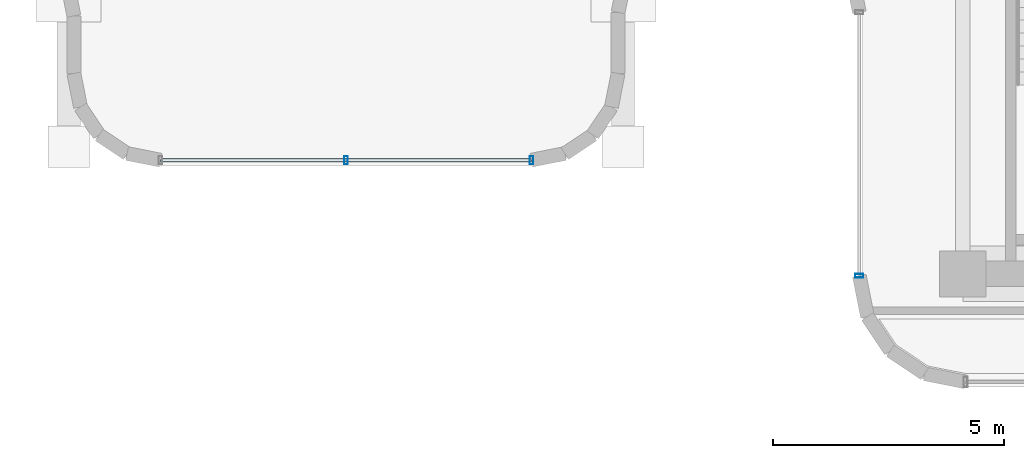
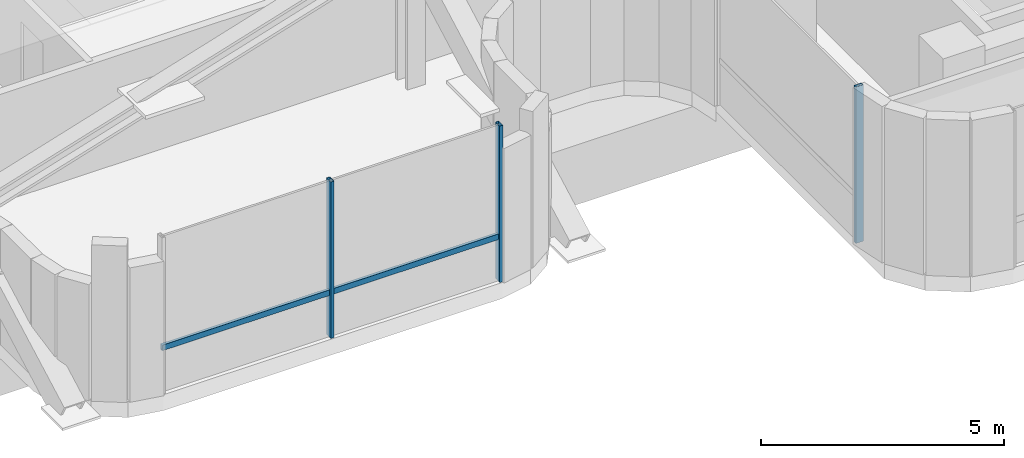
# One storey, part 9 of 37: 4 members, 2 elements without a shape of their own.
"""IFC4 building model written with IfcOpenShell, lengths in metres."""

from ifc_helpers import new_model, si_unit, direction, frame, origin, origin_2d, place, context, subcontext, project, spatial, hollow_rectangle, extrude, source, transform, mapped, material, material_profile, profile_set, type_object, element, aggregate, save


model = new_model("IFC4")

# Units and contexts
model_context = context("Model", 3, precision=1e-05, world=origin(), true_north=direction((0.0, 1.0)))
body_context = subcontext(model_context, "Body", "Model", "MODEL_VIEW")
ifc_project = project(units=[si_unit("LENGTHUNIT", "METRE"), si_unit("AREAUNIT", "SQUARE_METRE"), si_unit("VOLUMEUNIT", "CUBIC_METRE"), si_unit("PLANEANGLEUNIT", "RADIAN"), si_unit("MASSUNIT", "GRAM", prefix="KILO")], contexts=[model_context])

# Site, building, storey
site_placement = place(None, origin())
site = spatial("IfcSite", under=ifc_project, at=site_placement, CompositionType="ELEMENT")
building_placement = place(site_placement, origin())
building = spatial("IfcBuilding", under=site, at=building_placement, Name="Valdorenza Pilgrim Sanctuary Tower", CompositionType="ELEMENT")
storey_placement = place(building_placement, frame((0.0, 0.0, 172.300048828125)))
storey = spatial("IfcBuildingStorey", under=building, at=storey_placement, Name="L44", CompositionType="ELEMENT", Elevation=172.300048828125)

# Curtain wall, member
ifc_material_1 = material(Name="Curtain-wall IGU glazing", Category="glass")
curtain_wall_type = type_object("IfcCurtainWallType", Name="CW-SYS-05", PredefinedType="NOTDEFINED", material=ifc_material_1)
curtain_wall_1_placement = place(storey_placement, origin())
curtain_wall_1 = element("IfcCurtainWall", 1, at=curtain_wall_1_placement, inside=storey, type_object=curtain_wall_type, Name="L44 Curtain Wall CW-L44-1-47", PredefinedType="NOTDEFINED")
ifc_material_2 = material(Name="Anodised aluminium AW-6060", Category="aluminium")
ifc_material_profile_1 = material_profile(ifc_material_2, hollow_rectangle(XDim=0.080078125, YDim=0.179931640625, WallThickness=0.00439453125, at=origin_2d()), Name="ALU-M 180x80x4.5")
ifc_profile_set_1 = profile_set([ifc_material_profile_1], Name="Anodised aluminium AW-6060")
member_type_1 = type_object("IfcMemberType", Name="CW-MUL-05", PredefinedType="MULLION", material=ifc_profile_set_1)
shared_shape_1 = source(origin(), body_context, "Body", "SweptSolid", [
    extrude(hollow_rectangle(XDim=0.080078125, YDim=0.179931640625, WallThickness=0.00439453125, at=origin_2d()), origin(), (0.0, 0.0, 1.0), 3.929931640625),
])
member_1_placement = place(storey_placement, frame((13.610107421875, -9.589111328125, 0.0), z_axis=(0.0, 0.0, 1.0), x_axis=(0.0, 1.0, 0.0)))
member_1 = element("IfcMember", 2, at=member_1_placement, type_object=member_type_1, Name="CW-L44-1-47 Mullion 1", PredefinedType="MULLION", context=body_context, shape_type="MappedRepresentation", body=[
    mapped(shared_shape_1, transform((0.0, 0.0, 0.0), x_axis=(1.0, 0.0, 0.0), y_axis=(0.0, 1.0, 0.0), z_axis=(0.0, 0.0, 1.0), scale=1.0)),
])
aggregate(curtain_wall_1, [member_1])

# Curtain wall, members
curtain_wall_2_placement = place(storey_placement, origin())
curtain_wall_2 = element("IfcCurtainWall", 3, at=curtain_wall_2_placement, inside=storey, type_object=curtain_wall_type, Name="L44 Curtain Wall CW-L44-1-62", PredefinedType="NOTDEFINED")
member_2_placement = place(storey_placement, frame((6.51318359375, -7.090087890625, 0.0), z_axis=(0.0, 0.0, 1.0), x_axis=(-1.0, 0.0, 0.0)))
member_2 = element("IfcMember", 4, at=member_2_placement, type_object=member_type_1, Name="CW-L44-1-62 Mullion 1", PredefinedType="MULLION", context=body_context, shape_type="MappedRepresentation", body=[
    mapped(shared_shape_1, transform((0.0, 0.0, 0.0), x_axis=(1.0, 0.0, 0.0), y_axis=(0.0, 1.0, 0.0), z_axis=(0.0, 0.0, 1.0), scale=1.0)),
])
member_3_placement = place(storey_placement, frame((2.5, -7.090087890625, 0.0), z_axis=(0.0, 0.0, 1.0), x_axis=(-1.0, 0.0, 0.0)))
member_3 = element("IfcMember", 5, at=member_3_placement, type_object=member_type_1, Name="CW-L44-1-62 Mullion 2", PredefinedType="MULLION", context=body_context, shape_type="MappedRepresentation", body=[
    mapped(shared_shape_1, transform((0.0, 0.0, 0.0), x_axis=(1.0, 0.0, 0.0), y_axis=(0.0, 1.0, 0.0), z_axis=(0.0, 0.0, 1.0), scale=1.0)),
])
ifc_material_profile_2 = material_profile(ifc_material_2, hollow_rectangle(XDim=0.070068359375, YDim=0.139892578125, WallThickness=0.00341796875, at=origin_2d()), Name="ALU-T 140x70x3.5")
ifc_profile_set_2 = profile_set([ifc_material_profile_2], Name="Anodised aluminium AW-6060")
member_type_2 = type_object("IfcMemberType", Name="CW-TRN-05", PredefinedType="USERDEFINED", material=ifc_profile_set_2)
shared_shape_2 = source(origin(), body_context, "Body", "SweptSolid", [
    extrude(hollow_rectangle(XDim=0.070068359375, YDim=0.139892578125, WallThickness=0.00341796875, at=origin_2d()), origin(), (0.0, 0.0, 1.0), 8.0263671875),
])
member_4_placement = place(storey_placement, frame((6.51318359375, -7.090087890625, 1.119873046875), z_axis=(-1.0, 0.0, 0.0), x_axis=(0.0, -1.0, 0.0)))
member_4 = element("IfcMember", 6, at=member_4_placement, type_object=member_type_2, Name="CW-L44-1-62 Transom 1", ObjectType="TRANSOM", PredefinedType="USERDEFINED", context=body_context, shape_type="MappedRepresentation", body=[
    mapped(shared_shape_2, transform((0.0, 0.0, 0.0), x_axis=(1.0, 0.0, 0.0), y_axis=(0.0, 1.0, 0.0), z_axis=(0.0, 0.0, 1.0), scale=1.0)),
])
aggregate(curtain_wall_2, [member_2, member_3, member_4])

save(model, "model.ifc")
